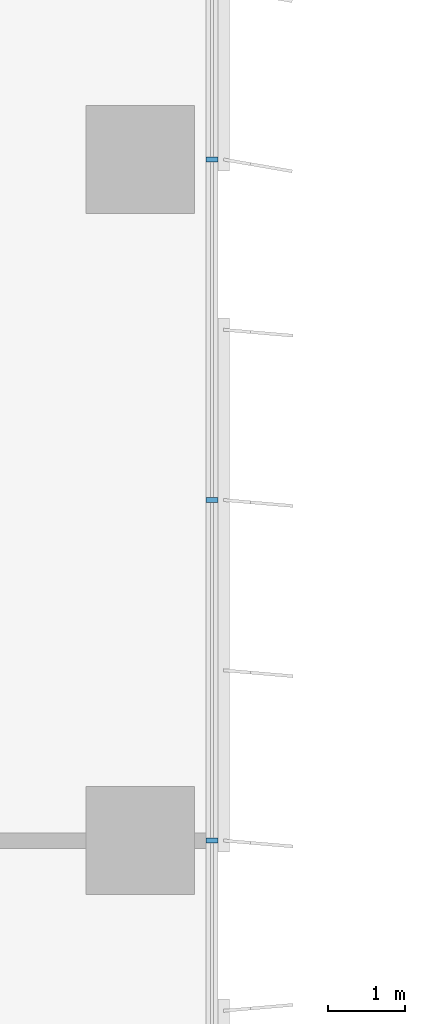
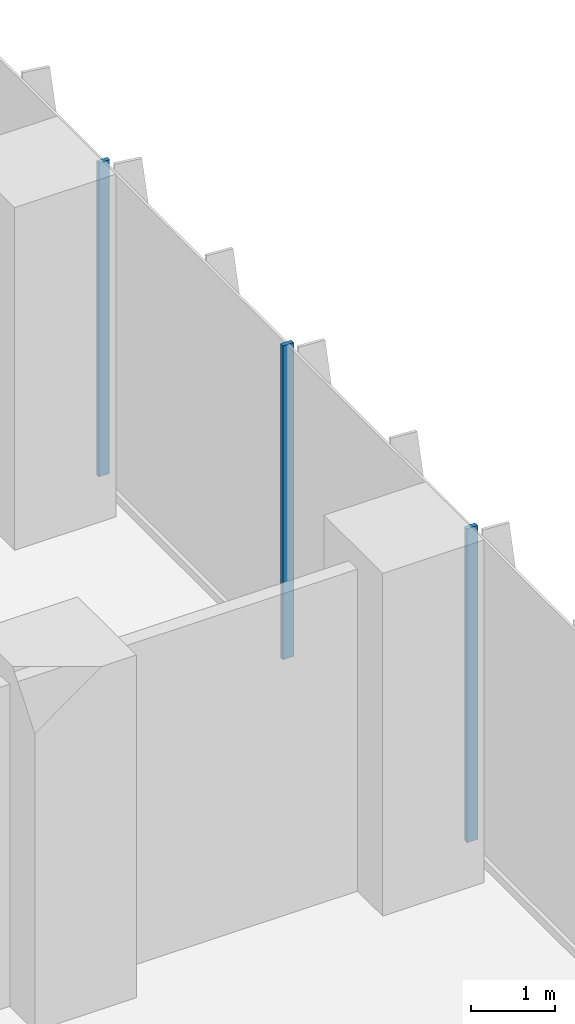
# One storey, part 7 of 23: 3 members, 1 element without a shape of its own.
"""IFC4 building model written with IfcOpenShell, lengths in metres."""

from ifc_helpers import new_model, si_unit, direction, frame, origin, origin_2d, place, context, subcontext, project, spatial, rectangle, extrude, source, transform, mapped, material, material_profile, profile_set, type_object, element, aggregate, save


model = new_model("IFC4")

# Units and contexts
model_context = context("Model", 3, precision=1e-05, world=origin(), true_north=direction((0.0, 1.0)))
body_context = subcontext(model_context, "Body", "Model", "MODEL_VIEW")
ifc_project = project(units=[si_unit("LENGTHUNIT", "METRE"), si_unit("AREAUNIT", "SQUARE_METRE"), si_unit("VOLUMEUNIT", "CUBIC_METRE"), si_unit("PLANEANGLEUNIT", "RADIAN"), si_unit("MASSUNIT", "GRAM", prefix="KILO")], contexts=[model_context])

# Site, building, storey
site_placement = place(None, origin())
site = spatial("IfcSite", under=ifc_project, at=site_placement, CompositionType="ELEMENT")
building_placement = place(site_placement, origin())
building = spatial("IfcBuilding", under=site, at=building_placement, Name="Kemantara Hotel Tower", CompositionType="ELEMENT")
storey_placement = place(building_placement, frame((0.0, 0.0, 71.0)))
storey = spatial("IfcBuildingStorey", under=building, at=storey_placement, Name="L16", CompositionType="ELEMENT", Elevation=71.0)

# Curtain wall, members
ifc_material_1 = material(Name="Low-E tinted double insulated glass 36 mm", Category="glass")
curtain_wall_type = type_object("IfcCurtainWallType", Name="TOWER CURTAIN WALL, FRONT FACES", PredefinedType="USERDEFINED", material=ifc_material_1)
curtain_wall_placement = place(storey_placement, origin())
curtain_wall = element("IfcCurtainWall", 1, at=curtain_wall_placement, inside=storey, type_object=curtain_wall_type, Name="CW4 L16 T1-R08-1", ObjectType="TOWER CURTAIN WALL, FRONT FACES", PredefinedType="USERDEFINED")
ifc_material_2 = material(Name="Aluminium 6063-T6 bronze anodised", Category="aluminium")
ifc_material_profile = material_profile(ifc_material_2, rectangle(XDim=0.14990234375, YDim=0.06005859375, at=origin_2d()), Name="TOWER CURTAIN WALL, FRONT FACES MULLION")
ifc_profile_set = profile_set([ifc_material_profile], Name="Aluminium 6063-T6 bronze anodised")
member_type = type_object("IfcMemberType", Name="TOWER CURTAIN WALL, FRONT FACES MULLION", PredefinedType="MULLION", material=ifc_profile_set)
shared_shape = source(origin(), body_context, "Body", "SweptSolid", [
    extrude(rectangle(XDim=0.14990234375, YDim=0.06005859375, at=origin_2d()), origin(), (0.0, 0.0, 1.0), 4.579833984375),
])
member_1_placement = place(storey_placement, frame((26.72509765625, 53.800048828125, 0.1201171875), z_axis=(0.0, 0.0, 1.0), x_axis=(-1.0, 0.0, 0.0)))
member_1 = element("IfcMember", 2, at=member_1_placement, type_object=member_type, Name="CW4 mullion T1-R08-1.8", PredefinedType="MULLION", context=body_context, shape_type="MappedRepresentation", body=[
    mapped(shared_shape, transform((0.0, 0.0, 0.0))),
])
member_2_placement = place(storey_placement, frame((26.72509765625, 58.199951171875, 0.1201171875), z_axis=(0.0, 0.0, 1.0), x_axis=(-1.0, 0.0, 0.0)))
member_2 = element("IfcMember", 3, at=member_2_placement, type_object=member_type, Name="CW4 mullion T1-R08-1.9", PredefinedType="MULLION", context=body_context, shape_type="MappedRepresentation", body=[
    mapped(shared_shape, transform((0.0, 0.0, 0.0))),
])
member_3_placement = place(storey_placement, frame((26.72509765625, 62.60009765625, 0.1201171875), z_axis=(0.0, 0.0, 1.0), x_axis=(-1.0, 0.0, 0.0)))
member_3 = element("IfcMember", 4, at=member_3_placement, type_object=member_type, Name="CW4 mullion T1-R08-1.10", PredefinedType="MULLION", context=body_context, shape_type="MappedRepresentation", body=[
    mapped(shared_shape, transform((0.0, 0.0, 0.0))),
])
aggregate(curtain_wall, [member_1, member_2, member_3])

save(model, "model.ifc")
